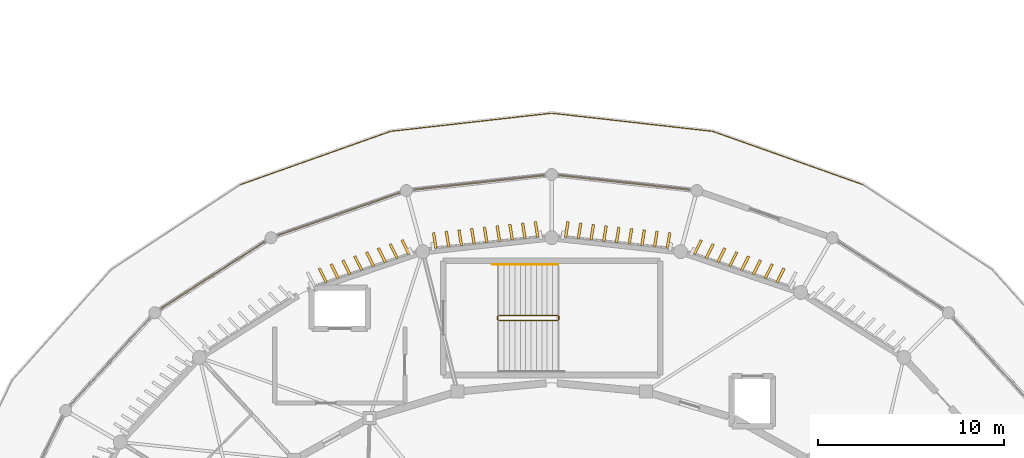
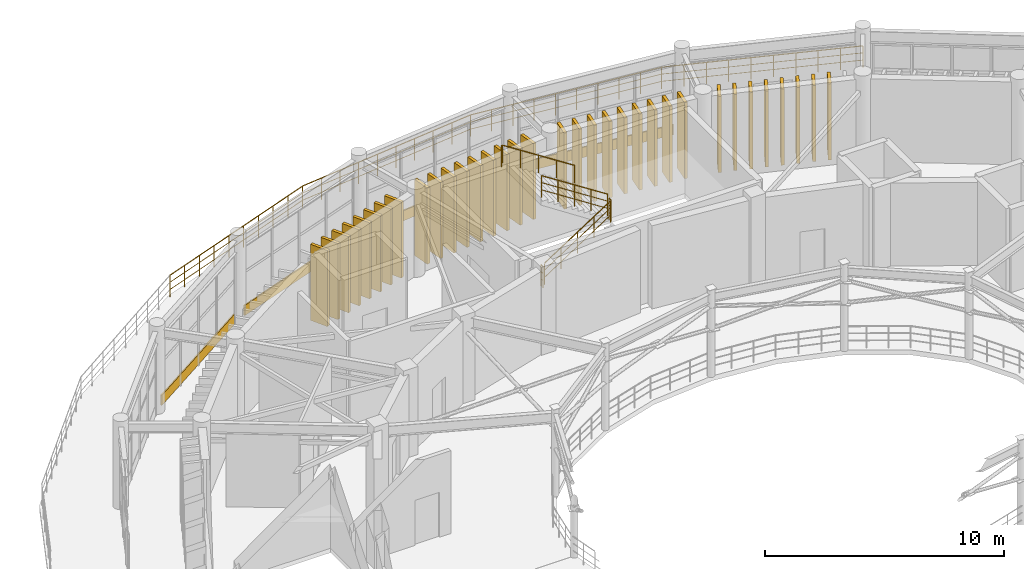
# One storey, part 42 of 45: 34 shading devices, 9 railings, 4 coverings.
"""IFC4 building model written with IfcOpenShell, lengths in metres."""

from ifc_helpers import new_model, si_unit, direction, frame, origin, origin_2d, place, context, subcontext, project, spatial, rectangle, circle, extrude, material, layer, layer_set, type_object, element, save


model = new_model("IFC4")

# Units and contexts
model_context = context("Model", 3, precision=1e-05, world=origin(), true_north=direction((0.0, 1.0)))
body_context = subcontext(model_context, "Body", "Model", "MODEL_VIEW")
ifc_project = project(units=[si_unit("LENGTHUNIT", "METRE"), si_unit("AREAUNIT", "SQUARE_METRE"), si_unit("VOLUMEUNIT", "CUBIC_METRE"), si_unit("PLANEANGLEUNIT", "RADIAN"), si_unit("MASSUNIT", "GRAM", prefix="KILO")], contexts=[model_context])

# Site, building, storey
site_placement = place(None, origin())
site = spatial("IfcSite", under=ifc_project, at=site_placement, CompositionType="ELEMENT")
building_placement = place(site_placement, origin())
building = spatial("IfcBuilding", under=site, at=building_placement, Name="Cinderbank Siding Concert Hall", CompositionType="ELEMENT")
storey_placement = place(building_placement, frame((0.0, 0.0, 19.199951171875)))
storey = spatial("IfcBuildingStorey", under=building, at=storey_placement, Name="L05", CompositionType="ELEMENT", Elevation=19.199951171875)

# Coverings
ifc_material_1 = material(Name="Spotted gum glulam timber GL18 (42 MPa)", Category="wood")
ifc_layer = layer(ifc_material_1, 0.06494140625)
ifc_layer_set = layer_set([ifc_layer], Name="Spotted gum glulam timber GL18 (42 MPa)")
covering_type = type_object("IfcCoveringType", Name="CL-01 Spotted Gum Spandrel Band 520mm", PredefinedType="CLADDING", material=ifc_layer_set)
for number, where, z_axis, x_axis, name in (
    (1, (125.908203125, 68.96728515625, 0.0), (0.0, 0.0, 1.0), (-0.993925224089, 0.110057480072, 0.0), "CW-L05-076 Spotted Gum Spandrel Band"),
    (2, (118.091796875, 68.96728515625, 0.0), (0.0, 0.0, 1.0), (-0.993925224089, -0.110057480072, 0.0), "CW-L05-077 Spotted Gum Spandrel Band"),
):
    element("IfcCovering", number, at=place(storey_placement, frame(where, z_axis=z_axis, x_axis=x_axis)), inside=storey, type_object=covering_type, Name=name, PredefinedType="CLADDING", context=body_context, shape_type="SweptSolid", body=[
        extrude(rectangle(XDim=7.083984375, YDim=0.06494140625, at=origin_2d()), origin(), (0.0, 0.0, 1.0), 0.52001953125),
    ])
covering_1_placement = place(storey_placement, frame((110.5419921875, 67.265625, 0.0), z_axis=(0.0, 0.0, 1.0), x_axis=(-0.944334191914, -0.328987741387, 0.0)))
element("IfcCovering", 3, at=covering_1_placement, inside=storey, type_object=covering_type, Name="CW-L05-078 Spotted Gum Spandrel Band", PredefinedType="CLADDING", context=body_context, shape_type="SweptSolid", body=[
    extrude(rectangle(XDim=6.93310546875, YDim=0.06494140625, at=origin_2d()), origin(), (0.0, 0.0, 1.0), 0.52001953125),
])
covering_2_placement = place(storey_placement, frame((103.772705078125, 63.978759765625, 0.0), z_axis=(0.0, 0.0, 1.0), x_axis=(-0.840218663385, -0.542247727243, 0.0)))
element("IfcCovering", 4, at=covering_2_placement, inside=storey, type_object=covering_type, Name="CW-L05-079 Spotted Gum Spandrel Band", PredefinedType="CLADDING", context=body_context, shape_type="SweptSolid", body=[
    extrude(rectangle(XDim=6.6640625, YDim=0.06494140625, at=origin_2d()), origin(), (0.0, 0.0, 1.0), 0.52001953125),
])

# Railings
ifc_material_2 = material(Name="Structural steel AS/NZS 3679.1 Grade 350 (340 MPa)", Category="steel")
railing_type_1 = type_object("IfcRailingType", Name="GD-01 Terrace & Perimeter Guardrail 1120mm", PredefinedType="GUARDRAIL", material=ifc_material_2)
railing_1_placement = place(storey_placement, frame((105.244873046875, 68.851318359375, 0.0)))
element("IfcRailing", 5, at=railing_1_placement, inside=storey, type_object=railing_type_1, Name="L05 Perimeter Guardrail #99", PredefinedType="GUARDRAIL", context=body_context, shape_type="SweptSolid", body=[
    extrude(circle(Radius=0.02392578125, at=origin_2d()), frame((0.0, 0.0, 1.09619140625), z_axis=(0.942363766241, 0.334590095603, 0.0), x_axis=(-0.334590095603, 0.942363766241, 0.0)), (0.0, 0.0, 1.0), 8.575927734375),
    extrude(circle(Radius=0.01611328125, at=origin_2d()), frame((0.0, 0.0, 0.36962890625), z_axis=(0.942363766241, 0.334590095603, 0.0), x_axis=(-0.334590095603, 0.942363766241, 0.0)), (0.0, 0.0, 1.0), 8.575927734375),
    extrude(circle(Radius=0.01611328125, at=origin_2d()), frame((0.0, 0.0, 0.7392578125), z_axis=(0.942363766241, 0.334590095603, 0.0), x_axis=(-0.334590095603, 0.942363766241, 0.0)), (0.0, 0.0, 1.0), 8.575927734375),
    extrude(circle(Radius=0.02099609375, at=origin_2d()), origin(), (0.0, 0.0, 1.0), 1.072021484375),
    extrude(circle(Radius=0.02099609375, at=origin_2d()), frame((0.89794921875, 0.31884765625, 0.0)), (0.0, 0.0, 1.0), 1.072021484375),
    extrude(circle(Radius=0.02099609375, at=origin_2d()), frame((1.7958984375, 0.6376953125, 0.0)), (0.0, 0.0, 1.0), 1.072021484375),
    extrude(circle(Radius=0.02099609375, at=origin_2d()), frame((2.69384765625, 0.95654296875, 0.0)), (0.0, 0.0, 1.0), 1.072021484375),
    extrude(circle(Radius=0.02099609375, at=origin_2d()), frame((3.591796875, 1.275390625, 0.0)), (0.0, 0.0, 1.0), 1.072021484375),
    extrude(circle(Radius=0.02099609375, at=origin_2d()), frame((4.48974609375, 1.593994140625, 0.0)), (0.0, 0.0, 1.0), 1.072021484375),
    extrude(circle(Radius=0.02099609375, at=origin_2d()), frame((5.3876953125, 1.912841796875, 0.0)), (0.0, 0.0, 1.0), 1.072021484375),
    extrude(circle(Radius=0.02099609375, at=origin_2d()), frame((6.28564453125, 2.231689453125, 0.0)), (0.0, 0.0, 1.0), 1.072021484375),
    extrude(circle(Radius=0.02099609375, at=origin_2d()), frame((7.18359375, 2.550537109375, 0.0)), (0.0, 0.0, 1.0), 1.072021484375),
    extrude(circle(Radius=0.02099609375, at=origin_2d()), frame((8.08154296875, 2.869384765625, 0.0)), (0.0, 0.0, 1.0), 1.072021484375),
])
railing_2_placement = place(storey_placement, frame((113.326416015625, 71.720703125, 0.0)))
element("IfcRailing", 6, at=railing_2_placement, inside=storey, type_object=railing_type_1, Name="L05 Perimeter Guardrail #100", PredefinedType="GUARDRAIL", context=body_context, shape_type="SweptSolid", body=[
    extrude(circle(Radius=0.02392578125, at=origin_2d()), frame((0.0, 0.0, 1.09619140625), z_axis=(0.99369331091, 0.112132082175, 0.0), x_axis=(-0.112132082175, 0.99369331091, 0.0)), (0.0, 0.0, 1.0), 8.728515625),
    extrude(circle(Radius=0.01611328125, at=origin_2d()), frame((0.0, 0.0, 0.36962890625), z_axis=(0.99369331091, 0.112132082175, 0.0), x_axis=(-0.112132082175, 0.99369331091, 0.0)), (0.0, 0.0, 1.0), 8.728515625),
    extrude(circle(Radius=0.01611328125, at=origin_2d()), frame((0.0, 0.0, 0.7392578125), z_axis=(0.99369331091, 0.112132082175, 0.0), x_axis=(-0.112132082175, 0.99369331091, 0.0)), (0.0, 0.0, 1.0), 8.728515625),
    extrude(circle(Radius=0.02099609375, at=origin_2d()), origin(), (0.0, 0.0, 1.0), 1.072021484375),
    extrude(circle(Radius=0.02099609375, at=origin_2d()), frame((0.963623046875, 0.108642578125, 0.0)), (0.0, 0.0, 1.0), 1.072021484375),
    extrude(circle(Radius=0.02099609375, at=origin_2d()), frame((1.927490234375, 0.217529296875, 0.0)), (0.0, 0.0, 1.0), 1.072021484375),
    extrude(circle(Radius=0.02099609375, at=origin_2d()), frame((2.89111328125, 0.326171875, 0.0)), (0.0, 0.0, 1.0), 1.072021484375),
    extrude(circle(Radius=0.02099609375, at=origin_2d()), frame((3.85498046875, 0.43505859375, 0.0)), (0.0, 0.0, 1.0), 1.072021484375),
    extrude(circle(Radius=0.02099609375, at=origin_2d()), frame((4.818603515625, 0.543701171875, 0.0)), (0.0, 0.0, 1.0), 1.072021484375),
    extrude(circle(Radius=0.02099609375, at=origin_2d()), frame((5.782470703125, 0.652587890625, 0.0)), (0.0, 0.0, 1.0), 1.072021484375),
    extrude(circle(Radius=0.02099609375, at=origin_2d()), frame((6.74609375, 0.76123046875, 0.0)), (0.0, 0.0, 1.0), 1.072021484375),
    extrude(circle(Radius=0.02099609375, at=origin_2d()), frame((7.7099609375, 0.8701171875, 0.0)), (0.0, 0.0, 1.0), 1.072021484375),
    extrude(circle(Radius=0.02099609375, at=origin_2d()), frame((8.673583984375, 0.978759765625, 0.0)), (0.0, 0.0, 1.0), 1.072021484375),
])
railing_3_placement = place(storey_placement, frame((122.0, 72.699462890625, 0.0)))
element("IfcRailing", 7, at=railing_3_placement, inside=storey, type_object=railing_type_1, Name="L05 Perimeter Guardrail #101", PredefinedType="GUARDRAIL", context=body_context, shape_type="SweptSolid", body=[
    extrude(circle(Radius=0.02392578125, at=origin_2d()), frame((0.0, 0.0, 1.09619140625), z_axis=(0.99369331091, -0.112132082175, 0.0), x_axis=(0.112132082175, 0.99369331091, 0.0)), (0.0, 0.0, 1.0), 8.728515625),
    extrude(circle(Radius=0.01611328125, at=origin_2d()), frame((0.0, 0.0, 0.36962890625), z_axis=(0.99369331091, -0.112132082175, 0.0), x_axis=(0.112132082175, 0.99369331091, 0.0)), (0.0, 0.0, 1.0), 8.728515625),
    extrude(circle(Radius=0.01611328125, at=origin_2d()), frame((0.0, 0.0, 0.7392578125), z_axis=(0.99369331091, -0.112132082175, 0.0), x_axis=(0.112132082175, 0.99369331091, 0.0)), (0.0, 0.0, 1.0), 8.728515625),
    extrude(circle(Radius=0.02099609375, at=origin_2d()), origin(), (0.0, 0.0, 1.0), 1.072021484375),
    extrude(circle(Radius=0.02099609375, at=origin_2d()), frame((0.963623046875, -0.108642578125, 0.0)), (0.0, 0.0, 1.0), 1.072021484375),
    extrude(circle(Radius=0.02099609375, at=origin_2d()), frame((1.927490234375, -0.217529296875, 0.0)), (0.0, 0.0, 1.0), 1.072021484375),
    extrude(circle(Radius=0.02099609375, at=origin_2d()), frame((2.89111328125, -0.326171875, 0.0)), (0.0, 0.0, 1.0), 1.072021484375),
    extrude(circle(Radius=0.02099609375, at=origin_2d()), frame((3.85498046875, -0.43505859375, 0.0)), (0.0, 0.0, 1.0), 1.072021484375),
    extrude(circle(Radius=0.02099609375, at=origin_2d()), frame((4.818603515625, -0.543701171875, 0.0)), (0.0, 0.0, 1.0), 1.072021484375),
    extrude(circle(Radius=0.02099609375, at=origin_2d()), frame((5.782470703125, -0.652587890625, 0.0)), (0.0, 0.0, 1.0), 1.072021484375),
    extrude(circle(Radius=0.02099609375, at=origin_2d()), frame((6.74609375, -0.76123046875, 0.0)), (0.0, 0.0, 1.0), 1.072021484375),
    extrude(circle(Radius=0.02099609375, at=origin_2d()), frame((7.7099609375, -0.8701171875, 0.0)), (0.0, 0.0, 1.0), 1.072021484375),
    extrude(circle(Radius=0.02099609375, at=origin_2d()), frame((8.673583984375, -0.978759765625, 0.0)), (0.0, 0.0, 1.0), 1.072021484375),
])
railing_4_placement = place(storey_placement, frame((130.673583984375, 71.720703125, 0.0)))
element("IfcRailing", 8, at=railing_4_placement, inside=storey, type_object=railing_type_1, Name="L05 Perimeter Guardrail #102", PredefinedType="GUARDRAIL", context=body_context, shape_type="SweptSolid", body=[
    extrude(circle(Radius=0.02392578125, at=origin_2d()), frame((0.0, 0.0, 1.09619140625), z_axis=(0.942363766241, -0.334590095603, 0.0), x_axis=(0.334590095603, 0.942363766241, 0.0)), (0.0, 0.0, 1.0), 8.575927734375),
    extrude(circle(Radius=0.01611328125, at=origin_2d()), frame((0.0, 0.0, 0.36962890625), z_axis=(0.942363766241, -0.334590095603, 0.0), x_axis=(0.334590095603, 0.942363766241, 0.0)), (0.0, 0.0, 1.0), 8.575927734375),
    extrude(circle(Radius=0.01611328125, at=origin_2d()), frame((0.0, 0.0, 0.7392578125), z_axis=(0.942363766241, -0.334590095603, 0.0), x_axis=(0.334590095603, 0.942363766241, 0.0)), (0.0, 0.0, 1.0), 8.575927734375),
    extrude(circle(Radius=0.02099609375, at=origin_2d()), origin(), (0.0, 0.0, 1.0), 1.072021484375),
    extrude(circle(Radius=0.02099609375, at=origin_2d()), frame((0.89794921875, -0.31884765625, 0.0)), (0.0, 0.0, 1.0), 1.072021484375),
    extrude(circle(Radius=0.02099609375, at=origin_2d()), frame((1.7958984375, -0.6376953125, 0.0)), (0.0, 0.0, 1.0), 1.072021484375),
    extrude(circle(Radius=0.02099609375, at=origin_2d()), frame((2.69384765625, -0.95654296875, 0.0)), (0.0, 0.0, 1.0), 1.072021484375),
    extrude(circle(Radius=0.02099609375, at=origin_2d()), frame((3.591796875, -1.275390625, 0.0)), (0.0, 0.0, 1.0), 1.072021484375),
    extrude(circle(Radius=0.02099609375, at=origin_2d()), frame((4.48974609375, -1.593994140625, 0.0)), (0.0, 0.0, 1.0), 1.072021484375),
    extrude(circle(Radius=0.02099609375, at=origin_2d()), frame((5.3876953125, -1.912841796875, 0.0)), (0.0, 0.0, 1.0), 1.072021484375),
    extrude(circle(Radius=0.02099609375, at=origin_2d()), frame((6.28564453125, -2.231689453125, 0.0)), (0.0, 0.0, 1.0), 1.072021484375),
    extrude(circle(Radius=0.02099609375, at=origin_2d()), frame((7.18359375, -2.550537109375, 0.0)), (0.0, 0.0, 1.0), 1.072021484375),
    extrude(circle(Radius=0.02099609375, at=origin_2d()), frame((8.08154296875, -2.869384765625, 0.0)), (0.0, 0.0, 1.0), 1.072021484375),
])

# Shading devices
ifc_material_3 = material(Name="Glazed architectural terracotta acoustic louvre unit", Category="masonry")
shading_device_type = type_object("IfcShadingDeviceType", Name="LV-01 Terracotta Louvre Blade 850x3850", PredefinedType="JALOUSIE", material=ifc_material_3)
for number, where, z_axis, x_axis, name in (
    (9, (134.315185546875, 63.975830078125, 0.0751953125), (0.0, 0.0, 1.0), (0.450487284518, 0.89278284397, 0.0), "L05 Terracotta Louvre Blade #29"),
    (10, (133.67919921875, 64.192138671875, 0.0751953125), (0.0, 0.0, 1.0), (0.450487284518, 0.89278284397, 0.0), "L05 Terracotta Louvre Blade #30"),
    (11, (133.043212890625, 64.408447265625, 0.0751953125), (0.0, 0.0, 1.0), (0.450487284518, 0.89278284397, 0.0), "L05 Terracotta Louvre Blade #31"),
    (12, (132.406982421875, 64.624755859375, 0.0751953125), (0.0, 0.0, 1.0), (0.450487284518, 0.89278284397, 0.0), "L05 Terracotta Louvre Blade #32"),
    (13, (131.770751953125, 64.841064453125, 0.0751953125), (0.0, 0.0, 1.0), (0.450487284518, 0.89278284397, 0.0), "L05 Terracotta Louvre Blade #33"),
    (14, (131.134765625, 65.057373046875, 0.0751953125), (0.0, 0.0, 1.0), (0.450487284518, 0.89278284397, 0.0), "L05 Terracotta Louvre Blade #34"),
    (15, (130.49853515625, 65.273681640625, 0.0751953125), (0.0, 0.0, 1.0), (0.450487284518, 0.89278284397, 0.0), "L05 Terracotta Louvre Blade #35"),
    (16, (129.862548828125, 65.489990234375, 0.0751953125), (0.0, 0.0, 1.0), (0.450487284518, 0.89278284397, 0.0), "L05 Terracotta Louvre Blade #36"),
    (17, (128.290283203125, 65.8525390625, 0.0751953125), (0.0, 0.0, 1.0), (0.158354123126, 0.987382383724, 0.0), "L05 Terracotta Louvre Blade #37"),
    (18, (127.605712890625, 65.926513671875, 0.0751953125), (0.0, 0.0, 1.0), (0.158354123126, 0.987382383724, 0.0), "L05 Terracotta Louvre Blade #38"),
    (19, (126.921142578125, 66.00048828125, 0.0751953125), (0.0, 0.0, 1.0), (0.158354123126, 0.987382383724, 0.0), "L05 Terracotta Louvre Blade #39"),
    (20, (126.23681640625, 66.074462890625, 0.0751953125), (0.0, 0.0, 1.0), (0.158354123126, 0.987382383724, 0.0), "L05 Terracotta Louvre Blade #40"),
    (21, (125.552001953125, 66.1484375, 0.0751953125), (0.0, 0.0, 1.0), (0.158354123126, 0.987382383724, 0.0), "L05 Terracotta Louvre Blade #41"),
    (22, (124.86767578125, 66.222412109375, 0.0751953125), (0.0, 0.0, 1.0), (0.158354123126, 0.987382383724, 0.0), "L05 Terracotta Louvre Blade #42"),
    (23, (124.18310546875, 66.29638671875, 0.0751953125), (0.0, 0.0, 1.0), (0.158354123126, 0.987382383724, 0.0), "L05 Terracotta Louvre Blade #43"),
    (24, (123.49853515625, 66.370361328125, 0.0751953125), (0.0, 0.0, 1.0), (0.158354123126, 0.987382383724, 0.0), "L05 Terracotta Louvre Blade #44"),
    (25, (122.81396484375, 66.4443359375, 0.0751953125), (0.0, 0.0, 1.0), (0.158354123126, 0.987382383724, 0.0), "L05 Terracotta Louvre Blade #45"),
    (26, (121.18603515625, 66.4443359375, 0.0751953125), (0.0, 0.0, 1.0), (-0.158354123126, 0.987382383724, 0.0), "L05 Terracotta Louvre Blade #46"),
    (27, (120.50146484375, 66.370361328125, 0.0751953125), (0.0, 0.0, 1.0), (-0.158354123126, 0.987382383724, 0.0), "L05 Terracotta Louvre Blade #47"),
    (28, (119.81689453125, 66.29638671875, 0.0751953125), (0.0, 0.0, 1.0), (-0.158354123126, 0.987382383724, 0.0), "L05 Terracotta Louvre Blade #48"),
    (29, (119.13232421875, 66.222412109375, 0.0751953125), (0.0, 0.0, 1.0), (-0.158354123126, 0.987382383724, 0.0), "L05 Terracotta Louvre Blade #49"),
    (30, (118.447998046875, 66.1484375, 0.0751953125), (0.0, 0.0, 1.0), (-0.158354123126, 0.987382383724, 0.0), "L05 Terracotta Louvre Blade #50"),
    (31, (117.76318359375, 66.074462890625, 0.0751953125), (0.0, 0.0, 1.0), (-0.158354123126, 0.987382383724, 0.0), "L05 Terracotta Louvre Blade #51"),
    (32, (117.078857421875, 66.00048828125, 0.0751953125), (0.0, 0.0, 1.0), (-0.158354123126, 0.987382383724, 0.0), "L05 Terracotta Louvre Blade #52"),
    (33, (116.394287109375, 65.926513671875, 0.0751953125), (0.0, 0.0, 1.0), (-0.158354123126, 0.987382383724, 0.0), "L05 Terracotta Louvre Blade #53"),
    (34, (115.709716796875, 65.8525390625, 0.0751953125), (0.0, 0.0, 1.0), (-0.158354123126, 0.987382383724, 0.0), "L05 Terracotta Louvre Blade #54"),
    (35, (114.137451171875, 65.489990234375, 0.0751953125), (0.0, 0.0, 1.0), (-0.450487284518, 0.89278284397, 0.0), "L05 Terracotta Louvre Blade #55"),
    (36, (113.50146484375, 65.273681640625, 0.0751953125), (0.0, 0.0, 1.0), (-0.450487284518, 0.89278284397, 0.0), "L05 Terracotta Louvre Blade #56"),
    (37, (112.865234375, 65.057373046875, 0.0751953125), (0.0, 0.0, 1.0), (-0.450487284518, 0.89278284397, 0.0), "L05 Terracotta Louvre Blade #57"),
    (38, (112.229248046875, 64.841064453125, 0.0751953125), (0.0, 0.0, 1.0), (-0.450487284518, 0.89278284397, 0.0), "L05 Terracotta Louvre Blade #58"),
    (39, (111.593017578125, 64.624755859375, 0.0751953125), (0.0, 0.0, 1.0), (-0.450487284518, 0.89278284397, 0.0), "L05 Terracotta Louvre Blade #59"),
    (40, (110.956787109375, 64.408447265625, 0.0751953125), (0.0, 0.0, 1.0), (-0.450487284518, 0.89278284397, 0.0), "L05 Terracotta Louvre Blade #60"),
    (41, (110.32080078125, 64.192138671875, 0.0751953125), (0.0, 0.0, 1.0), (-0.450487284518, 0.89278284397, 0.0), "L05 Terracotta Louvre Blade #61"),
    (42, (109.684814453125, 63.975830078125, 0.0751953125), (0.0, 0.0, 1.0), (-0.450487284518, 0.89278284397, 0.0), "L05 Terracotta Louvre Blade #62"),
):
    element("IfcShadingDevice", number, at=place(storey_placement, frame(where, z_axis=z_axis, x_axis=x_axis)), inside=storey, type_object=shading_device_type, Name=name, PredefinedType="JALOUSIE", context=body_context, shape_type="SweptSolid", body=[
        extrude(rectangle(XDim=0.85009765625, YDim=0.139892578125, at=origin_2d()), origin(), (0.0, 0.0, 1.0), 3.889892578125),
    ])

# Railings
railing_type_2 = type_object("IfcRailingType", Name="STG-01 Stair Well Guardrail 1120mm", PredefinedType="GUARDRAIL", material=ifc_material_2)
railing_5_placement = place(storey_placement, frame((119.14990234375, 61.550048828125, 0.1875)))
element("IfcRailing", 43, at=railing_5_placement, inside=storey, type_object=railing_type_2, Name="L05 ST-01 stair guard 1", PredefinedType="GUARDRAIL", context=body_context, shape_type="SweptSolid", body=[
    extrude(circle(Radius=0.02392578125, at=origin_2d()), frame((0.0, 0.0, 1.09619140625), z_axis=(0.839778728322, 0.0, 0.542928805147), x_axis=(0.0, 1.0, 0.0)), (0.0, 0.0, 1.0), 3.798828125),
    extrude(circle(Radius=0.01611328125, at=origin_2d()), frame((0.0, 0.0, 0.36962890625), z_axis=(0.839778728322, 0.0, 0.542928805147), x_axis=(0.0, 1.0, 0.0)), (0.0, 0.0, 1.0), 3.798828125),
    extrude(circle(Radius=0.01611328125, at=origin_2d()), frame((0.0, 0.0, 0.7392578125), z_axis=(0.839778728322, 0.0, 0.542928805147), x_axis=(0.0, 1.0, 0.0)), (0.0, 0.0, 1.0), 3.798828125),
    extrude(circle(Radius=0.02099609375, at=origin_2d()), origin(), (0.0, 0.0, 1.0), 1.072021484375),
    extrude(circle(Radius=0.02099609375, at=origin_2d()), frame((0.797607421875, 0.0, 0.515625)), (0.0, 0.0, 1.0), 1.072021484375),
    extrude(circle(Radius=0.02099609375, at=origin_2d()), frame((1.59521484375, 0.0, 1.03125)), (0.0, 0.0, 1.0), 1.072021484375),
    extrude(circle(Radius=0.02099609375, at=origin_2d()), frame((2.392578125, 0.0, 1.546875)), (0.0, 0.0, 1.0), 1.072021484375),
    extrude(circle(Radius=0.02099609375, at=origin_2d()), frame((3.190185546875, 0.0, 2.0625)), (0.0, 0.0, 1.0), 1.072021484375),
])
railing_6_placement = place(storey_placement, frame((122.389892578125, 61.60009765625, 2.25)))
element("IfcRailing", 44, at=railing_6_placement, inside=storey, type_object=railing_type_2, Name="L05 ST-01 stair guard 2", PredefinedType="GUARDRAIL", context=body_context, shape_type="SweptSolid", body=[
    extrude(circle(Radius=0.02392578125, at=origin_2d()), frame((0.0, 0.0, 1.09619140625), z_axis=(0.0, 1.0, 0.0), x_axis=(-1.0, 0.0, 0.0)), (0.0, 0.0, 1.0), 0.159912109375),
    extrude(circle(Radius=0.01611328125, at=origin_2d()), frame((0.0, 0.0, 0.36962890625), z_axis=(0.0, 1.0, 0.0), x_axis=(-1.0, 0.0, 0.0)), (0.0, 0.0, 1.0), 0.159912109375),
    extrude(circle(Radius=0.01611328125, at=origin_2d()), frame((0.0, 0.0, 0.7392578125), z_axis=(0.0, 1.0, 0.0), x_axis=(-1.0, 0.0, 0.0)), (0.0, 0.0, 1.0), 0.159912109375),
    extrude(circle(Radius=0.02099609375, at=origin_2d()), origin(), (0.0, 0.0, 1.0), 1.072021484375),
    extrude(circle(Radius=0.02099609375, at=origin_2d()), frame((0.0, 0.159912109375, 0.0)), (0.0, 0.0, 1.0), 1.072021484375),
])
railing_7_placement = place(storey_placement, frame((122.340087890625, 61.81005859375, 2.4375)))
element("IfcRailing", 45, at=railing_7_placement, inside=storey, type_object=railing_type_2, Name="L05 ST-01 stair guard 3", PredefinedType="GUARDRAIL", context=body_context, shape_type="SweptSolid", body=[
    extrude(circle(Radius=0.02392578125, at=origin_2d()), frame((0.0, 0.0, 1.09619140625), z_axis=(-0.839778728322, 0.0, 0.542928805147), x_axis=(0.0, -1.0, 0.0)), (0.0, 0.0, 1.0), 3.798828125),
    extrude(circle(Radius=0.01611328125, at=origin_2d()), frame((0.0, 0.0, 0.36962890625), z_axis=(-0.839778728322, 0.0, 0.542928805147), x_axis=(0.0, -1.0, 0.0)), (0.0, 0.0, 1.0), 3.798828125),
    extrude(circle(Radius=0.01611328125, at=origin_2d()), frame((0.0, 0.0, 0.7392578125), z_axis=(-0.839778728322, 0.0, 0.542928805147), x_axis=(0.0, -1.0, 0.0)), (0.0, 0.0, 1.0), 3.798828125),
    extrude(circle(Radius=0.02099609375, at=origin_2d()), origin(), (0.0, 0.0, 1.0), 1.072021484375),
    extrude(circle(Radius=0.02099609375, at=origin_2d()), frame((-0.797607421875, 0.0, 0.515625)), (0.0, 0.0, 1.0), 1.072021484375),
    extrude(circle(Radius=0.02099609375, at=origin_2d()), frame((-1.59521484375, 0.0, 1.03125)), (0.0, 0.0, 1.0), 1.072021484375),
    extrude(circle(Radius=0.02099609375, at=origin_2d()), frame((-2.392578125, 0.0, 1.546875)), (0.0, 0.0, 1.0), 1.072021484375),
    extrude(circle(Radius=0.02099609375, at=origin_2d()), frame((-3.190185546875, 0.0, 2.0625)), (0.0, 0.0, 1.0), 1.072021484375),
])
railing_8_placement = place(storey_placement, frame((119.10009765625, 61.60009765625, 0.0)))
element("IfcRailing", 46, at=railing_8_placement, inside=storey, type_object=railing_type_2, Name="L05 ST-01 stair guard 4", PredefinedType="GUARDRAIL", context=body_context, shape_type="SweptSolid", body=[
    extrude(circle(Radius=0.02392578125, at=origin_2d()), frame((0.0, 0.0, 1.09619140625), z_axis=(0.0, 1.0, 0.0), x_axis=(-1.0, 0.0, 0.0)), (0.0, 0.0, 1.0), 0.159912109375),
    extrude(circle(Radius=0.01611328125, at=origin_2d()), frame((0.0, 0.0, 0.36962890625), z_axis=(0.0, 1.0, 0.0), x_axis=(-1.0, 0.0, 0.0)), (0.0, 0.0, 1.0), 0.159912109375),
    extrude(circle(Radius=0.01611328125, at=origin_2d()), frame((0.0, 0.0, 0.7392578125), z_axis=(0.0, 1.0, 0.0), x_axis=(-1.0, 0.0, 0.0)), (0.0, 0.0, 1.0), 0.159912109375),
    extrude(circle(Radius=0.02099609375, at=origin_2d()), origin(), (0.0, 0.0, 1.0), 1.072021484375),
    extrude(circle(Radius=0.02099609375, at=origin_2d()), frame((0.0, 0.159912109375, 0.0)), (0.0, 0.0, 1.0), 1.072021484375),
])
railing_type_3 = type_object("IfcRailingType", Name="STH-01 Stair Pitch Handrail 920mm", PredefinedType="HANDRAIL", material=ifc_material_2)
railing_9_placement = place(storey_placement, frame((122.340087890625, 64.56005859375, 2.4375)))
element("IfcRailing", 47, at=railing_9_placement, inside=storey, type_object=railing_type_3, Name="L05 ST-01 stair handrail 2", PredefinedType="HANDRAIL", context=body_context, shape_type="SweptSolid", body=[
    extrude(circle(Radius=0.02392578125, at=origin_2d()), frame((0.0, 0.0, 0.89599609375), z_axis=(-0.839762940478, 0.0, 0.542953224319), x_axis=(0.0, -1.0, 0.0)), (0.0, 0.0, 1.0), 4.14404296875),
    extrude(circle(Radius=0.02392578125, at=origin_2d()), frame((-3.47998046875, 0.0, 3.14599609375), z_axis=(-1.0, 0.0, 0.0), x_axis=(0.0, -1.0, 0.0)), (0.0, 0.0, 1.0), 0.06005859375),
    extrude(circle(Radius=0.02099609375, at=origin_2d()), origin(), (0.0, 0.0, 1.0), 0.871826171875),
    extrude(circle(Radius=0.02099609375, at=origin_2d()), frame((-0.8701171875, 0.0, 0.5625)), (0.0, 0.0, 1.0), 0.871826171875),
    extrude(circle(Radius=0.02099609375, at=origin_2d()), frame((-1.739990234375, 0.0, 1.125)), (0.0, 0.0, 1.0), 0.871826171875),
    extrude(circle(Radius=0.02099609375, at=origin_2d()), frame((-2.60986328125, 0.0, 1.6875)), (0.0, 0.0, 1.0), 0.871826171875),
    extrude(circle(Radius=0.02099609375, at=origin_2d()), frame((-3.47998046875, 0.0, 2.25)), (0.0, 0.0, 1.0), 0.871826171875),
    extrude(circle(Radius=0.02099609375, at=origin_2d()), frame((-3.5400390625, 0.0, 2.0625)), (0.0, 0.0, 1.0), 1.059326171875),
])

save(model, "model.ifc")
